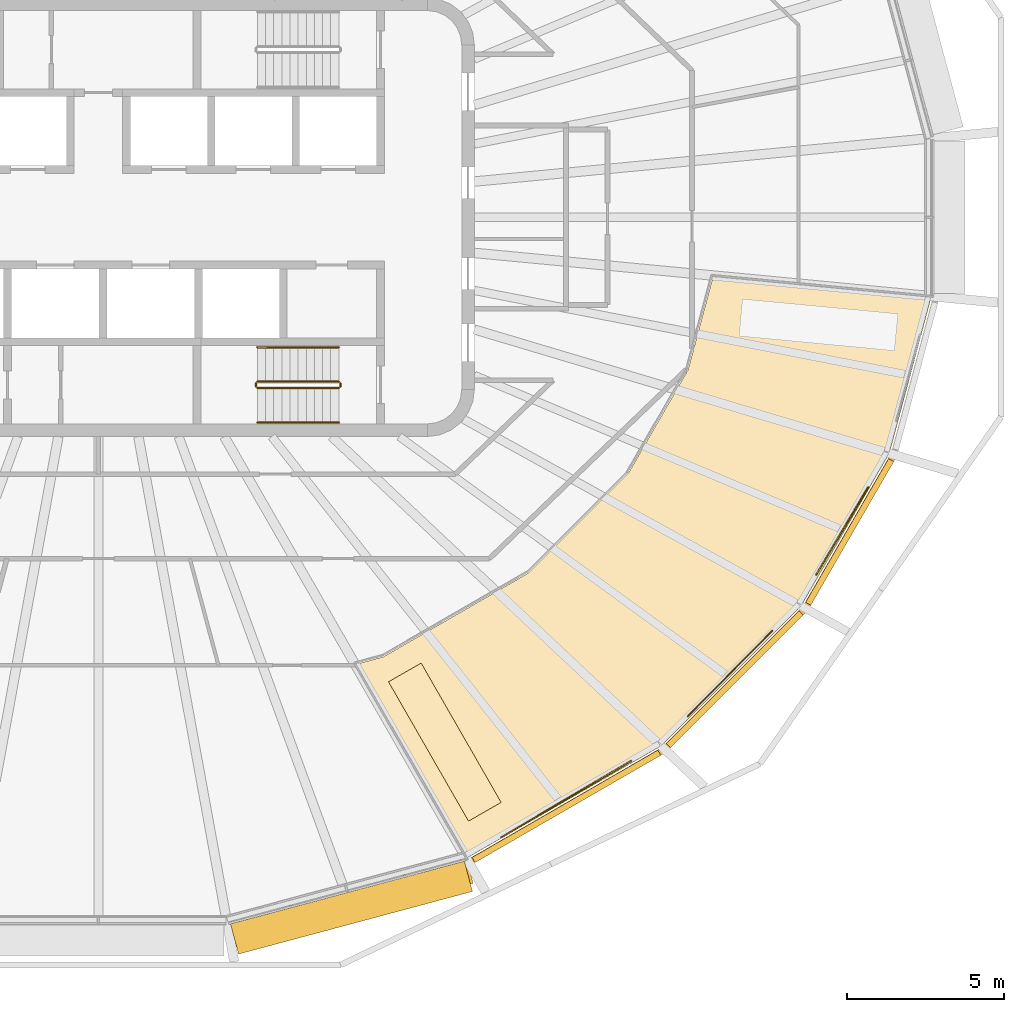
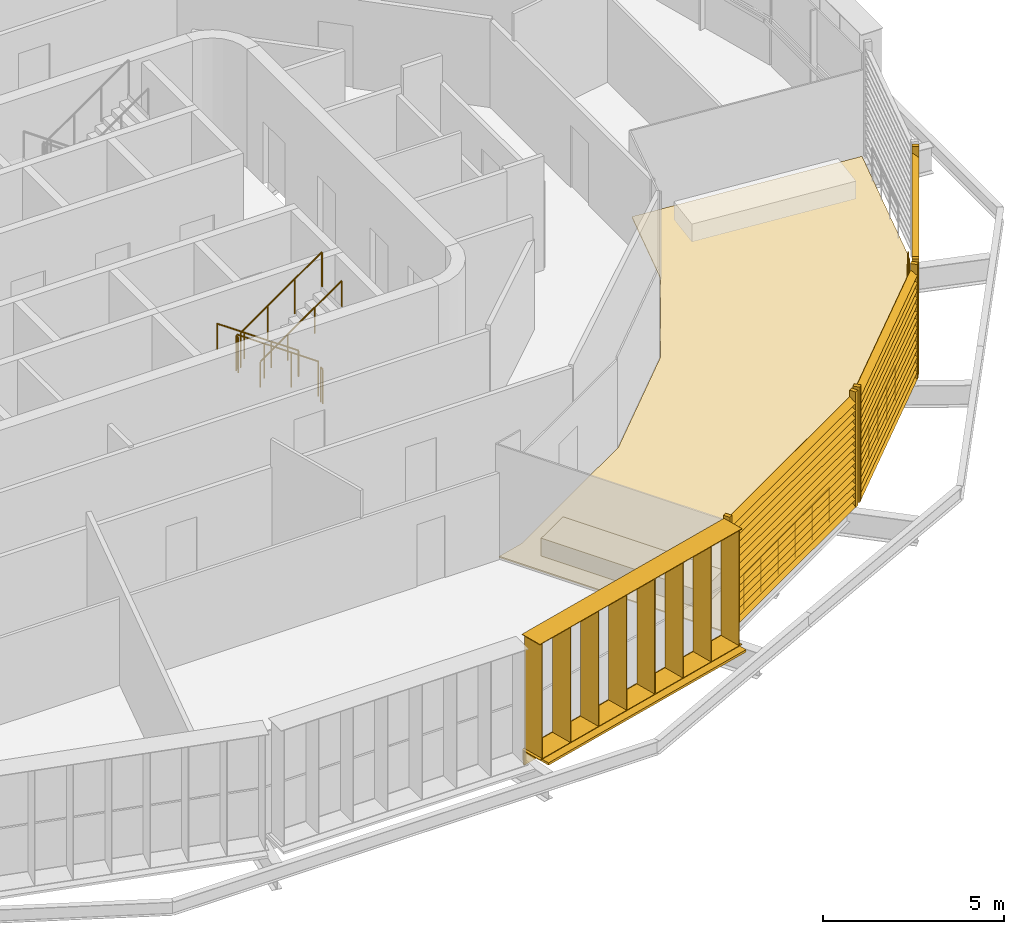
# One storey, part 18 of 21: 9 railings, 5 shading devices, 2 coverings.
"""IFC4 building model written with IfcOpenShell, lengths in metres."""

from ifc_helpers import new_model, si_unit, direction, frame, origin, origin_2d, place, context, subcontext, project, spatial, polyline, rectangle, circle, outline, extrude, material, layer, layer_set, type_object, element, save


model = new_model("IFC4")

# Units and contexts
model_context = context("Model", 3, precision=1e-05, world=origin(), true_north=direction((0.0, 1.0)))
body_context = subcontext(model_context, "Body", "Model", "MODEL_VIEW")
ifc_project = project(units=[si_unit("LENGTHUNIT", "METRE"), si_unit("AREAUNIT", "SQUARE_METRE"), si_unit("VOLUMEUNIT", "CUBIC_METRE"), si_unit("PLANEANGLEUNIT", "RADIAN"), si_unit("MASSUNIT", "GRAM", prefix="KILO")], contexts=[model_context])

# Site, building, storey
site_placement = place(None, origin())
site = spatial("IfcSite", under=ifc_project, at=site_placement, CompositionType="ELEMENT")
building_placement = place(site_placement, origin())
building = spatial("IfcBuilding", under=site, at=building_placement, Name="Sahrelin Media Tower", CompositionType="ELEMENT")
storey_placement = place(building_placement, frame((0.0, 0.0, 304.39990234375)))
storey = spatial("IfcBuildingStorey", under=building, at=storey_placement, Name="L67", CompositionType="ELEMENT", Elevation=304.39990234375)

# Shading device
ifc_material_1 = material(Name="Champagne anodised aluminium 6063-T6", Category="aluminium")
shading_device_type_1 = type_object("IfcShadingDeviceType", Name="Fin cassette", PredefinedType="USERDEFINED", material=ifc_material_1)
placement = place(storey_placement, frame((7.944091796875, -21.53466796875, 0.0), z_axis=(0.0, 0.0, 1.0), x_axis=(-0.965928857556, -0.258807731996, 0.0)))
element("IfcShadingDevice", 1, at=placement, inside=storey, type_object=shading_device_type_1, Name="L67:FIN:L67-19", ObjectType="FIN", PredefinedType="USERDEFINED", context=body_context, shape_type="SweptSolid", body=[
    extrude(rectangle(XDim=7.89990234375, YDim=0.699951171875, at=origin_2d()), frame((0.0, 0.419921875, 0.0)), (0.0, 0.0, 1.0), 0.02001953125),
    extrude(rectangle(XDim=7.89990234375, YDim=0.699951171875, at=origin_2d()), frame((0.0, 0.419921875, 3.89990234375)), (0.0, 0.0, 1.0), 0.02001953125),
    extrude(rectangle(XDim=0.02001953125, YDim=0.699951171875, at=origin_2d()), frame((-3.85009765625, 0.419921875, 0.010009765625), z_axis=(0.0, 0.0, 1.0), x_axis=(1.0, 0.0, 0.0)), (0.0, 0.0, 1.0), 3.89990234375),
    extrude(rectangle(XDim=0.02001953125, YDim=0.699951171875, at=origin_2d()), frame((-2.75, 0.419921875, 0.010009765625), z_axis=(0.0, 0.0, 1.0), x_axis=(1.0, 0.0, 0.0)), (0.0, 0.0, 1.0), 3.89990234375),
    extrude(rectangle(XDim=0.02001953125, YDim=0.699951171875, at=origin_2d()), frame((-1.64990234375, 0.419921875, 0.010009765625), z_axis=(0.0, 0.0, 1.0), x_axis=(1.0, 0.0, 0.0)), (0.0, 0.0, 1.0), 3.89990234375),
    extrude(rectangle(XDim=0.02001953125, YDim=0.699951171875, at=origin_2d()), frame((-0.550048828125, 0.419921875, 0.010009765625), z_axis=(0.0, 0.0, 1.0), x_axis=(1.0, 0.0, 0.0)), (0.0, 0.0, 1.0), 3.89990234375),
    extrude(rectangle(XDim=0.02001953125, YDim=0.699951171875, at=origin_2d()), frame((0.550048828125, 0.419921875, 0.010009765625), z_axis=(0.0, 0.0, 1.0), x_axis=(1.0, 0.0, 0.0)), (0.0, 0.0, 1.0), 3.89990234375),
    extrude(rectangle(XDim=0.02001953125, YDim=0.699951171875, at=origin_2d()), frame((1.64990234375, 0.419921875, 0.010009765625), z_axis=(0.0, 0.0, 1.0), x_axis=(1.0, 0.0, 0.0)), (0.0, 0.0, 1.0), 3.89990234375),
    extrude(rectangle(XDim=0.02001953125, YDim=0.699951171875, at=origin_2d()), frame((2.75, 0.419921875, 0.010009765625), z_axis=(0.0, 0.0, 1.0), x_axis=(1.0, 0.0, 0.0)), (0.0, 0.0, 1.0), 3.89990234375),
    extrude(rectangle(XDim=0.02001953125, YDim=0.699951171875, at=origin_2d()), frame((3.85009765625, 0.419921875, 0.010009765625), z_axis=(0.0, 0.0, 1.0), x_axis=(1.0, 0.0, 0.0)), (0.0, 0.0, 1.0), 3.89990234375),
])

# Covering
ifc_material_2 = material(Name="Stone paving", Category="masonry")
ifc_layer = layer(ifc_material_2, 0.0400390625)
ifc_layer_set = layer_set([ifc_layer], Name="Garden paving")
covering_type_1 = type_object("IfcCoveringType", Name="Garden paving", PredefinedType="FLOORING", material=ifc_layer_set)
covering_1_placement = place(storey_placement, origin())
element("IfcCovering", 2, at=covering_1_placement, inside=storey, type_object=covering_type_1, Name="Garden paving G6", PredefinedType="FLOORING", context=body_context, shape_type="SweptSolid", body=[
    extrude(outline(polyline([(25.2509765625, -7.53173828125), (22.4384765625, -12.4033203125), (17.96630859375, -16.87548828125), (11.79150390625, -20.440185546875), (8.243408203125, -14.259521484375), (9.090576171875, -14.0322265625), (13.7294921875, -11.35400390625), (16.9169921875, -8.16650390625), (18.8212890625, -4.868408203125), (19.61376953125, -1.91064453125), (26.580078125, -2.571533203125), (25.2509765625, -7.53173828125)])), origin(), (0.0, 0.0, 1.0), 0.0400390625),
])

# Shading devices
shading_device_type_2 = type_object("IfcShadingDeviceType", Name="Garden screen", PredefinedType="USERDEFINED", material=ifc_material_1)
shading_device_2_placement = place(storey_placement, frame((14.885009765625, -18.712158203125, 0.0), z_axis=(0.0, 0.0, 1.0), x_axis=(-0.866019052629, -0.500011000363, 0.0)))
element("IfcShadingDevice", 3, at=shading_device_2_placement, inside=storey, type_object=shading_device_type_2, Name="L67:SCREEN:L67-20", ObjectType="SCREEN", PredefinedType="USERDEFINED", context=body_context, shape_type="SweptSolid", body=[
    extrude(rectangle(XDim=0.1201171875, YDim=0.199951171875, at=origin_2d()), frame((3.4833984375, 0.10009765625, 0.050048828125), z_axis=(0.0, 0.0, 1.0), x_axis=(1.0, 0.0, 0.0)), (0.0, 0.0, 1.0), 3.89990234375),
    extrude(rectangle(XDim=0.1201171875, YDim=0.199951171875, at=origin_2d()), frame((-3.4833984375, 0.10009765625, 0.050048828125), z_axis=(0.0, 0.0, 1.0), x_axis=(1.0, 0.0, 0.0)), (0.0, 0.0, 1.0), 3.89990234375),
    extrude(rectangle(XDim=0.25, YDim=0.02001953125, at=origin_2d()), frame((3.42333984375, 0.10009765625, 0.14990234375), z_axis=(-1.0, 0.0, 0.0), x_axis=(0.0, -0.766044443119, 0.642787609687)), (0.0, 0.0, 1.0), 6.8466796875),
    extrude(rectangle(XDim=0.25, YDim=0.02001953125, at=origin_2d()), frame((3.42333984375, 0.10009765625, 0.39990234375), z_axis=(-1.0, 0.0, 0.0), x_axis=(0.0, -0.766044443119, 0.642787609687)), (0.0, 0.0, 1.0), 6.8466796875),
    extrude(rectangle(XDim=0.25, YDim=0.02001953125, at=origin_2d()), frame((3.42333984375, 0.10009765625, 0.64990234375), z_axis=(-1.0, 0.0, 0.0), x_axis=(0.0, -0.766044443119, 0.642787609687)), (0.0, 0.0, 1.0), 6.8466796875),
    extrude(rectangle(XDim=0.25, YDim=0.02001953125, at=origin_2d()), frame((3.42333984375, 0.10009765625, 0.89990234375), z_axis=(-1.0, 0.0, 0.0), x_axis=(0.0, -0.766044443119, 0.642787609687)), (0.0, 0.0, 1.0), 6.8466796875),
    extrude(rectangle(XDim=0.25, YDim=0.02001953125, at=origin_2d()), frame((3.42333984375, 0.10009765625, 1.14990234375), z_axis=(-1.0, 0.0, 0.0), x_axis=(0.0, -0.766044443119, 0.642787609687)), (0.0, 0.0, 1.0), 6.8466796875),
    extrude(rectangle(XDim=0.25, YDim=0.02001953125, at=origin_2d()), frame((3.42333984375, 0.10009765625, 1.39990234375), z_axis=(-1.0, 0.0, 0.0), x_axis=(0.0, -0.766044443119, 0.642787609687)), (0.0, 0.0, 1.0), 6.8466796875),
    extrude(rectangle(XDim=0.25, YDim=0.02001953125, at=origin_2d()), frame((3.42333984375, 0.10009765625, 1.64990234375), z_axis=(-1.0, 0.0, 0.0), x_axis=(0.0, -0.766044443119, 0.642787609687)), (0.0, 0.0, 1.0), 6.8466796875),
    extrude(rectangle(XDim=0.25, YDim=0.02001953125, at=origin_2d()), frame((3.42333984375, 0.10009765625, 1.89990234375), z_axis=(-1.0, 0.0, 0.0), x_axis=(0.0, -0.766044443119, 0.642787609687)), (0.0, 0.0, 1.0), 6.8466796875),
    extrude(rectangle(XDim=0.25, YDim=0.02001953125, at=origin_2d()), frame((3.42333984375, 0.10009765625, 2.14990234375), z_axis=(-1.0, 0.0, 0.0), x_axis=(0.0, -0.766044443119, 0.642787609687)), (0.0, 0.0, 1.0), 6.8466796875),
    extrude(rectangle(XDim=0.25, YDim=0.02001953125, at=origin_2d()), frame((3.42333984375, 0.10009765625, 2.39990234375), z_axis=(-1.0, 0.0, 0.0), x_axis=(0.0, -0.766044443119, 0.642787609687)), (0.0, 0.0, 1.0), 6.8466796875),
    extrude(rectangle(XDim=0.25, YDim=0.02001953125, at=origin_2d()), frame((3.42333984375, 0.10009765625, 2.64990234375), z_axis=(-1.0, 0.0, 0.0), x_axis=(0.0, -0.766044443119, 0.642787609687)), (0.0, 0.0, 1.0), 6.8466796875),
    extrude(rectangle(XDim=0.25, YDim=0.02001953125, at=origin_2d()), frame((3.42333984375, 0.10009765625, 2.89990234375), z_axis=(-1.0, 0.0, 0.0), x_axis=(0.0, -0.766044443119, 0.642787609687)), (0.0, 0.0, 1.0), 6.8466796875),
    extrude(rectangle(XDim=0.25, YDim=0.02001953125, at=origin_2d()), frame((3.42333984375, 0.10009765625, 3.14990234375), z_axis=(-1.0, 0.0, 0.0), x_axis=(0.0, -0.766044443119, 0.642787609687)), (0.0, 0.0, 1.0), 6.8466796875),
    extrude(rectangle(XDim=0.25, YDim=0.02001953125, at=origin_2d()), frame((3.42333984375, 0.10009765625, 3.39990234375), z_axis=(-1.0, 0.0, 0.0), x_axis=(0.0, -0.766044443119, 0.642787609687)), (0.0, 0.0, 1.0), 6.8466796875),
    extrude(rectangle(XDim=0.25, YDim=0.02001953125, at=origin_2d()), frame((3.42333984375, 0.10009765625, 3.64990234375), z_axis=(-1.0, 0.0, 0.0), x_axis=(0.0, -0.766044443119, 0.642787609687)), (0.0, 0.0, 1.0), 6.8466796875),
])
shading_device_3_placement = place(storey_placement, frame((20.23779296875, -14.6748046875, 0.0), z_axis=(0.0, 0.0, 1.0), x_axis=(-0.707106781187, -0.707106781187, 0.0)))
element("IfcShadingDevice", 4, at=shading_device_3_placement, inside=storey, type_object=shading_device_type_2, Name="L67:SCREEN:L67-21", ObjectType="SCREEN", PredefinedType="USERDEFINED", context=body_context, shape_type="SweptSolid", body=[
    extrude(rectangle(XDim=0.1201171875, YDim=0.199951171875, at=origin_2d()), frame((3.058837890625, 0.10009765625, 0.050048828125), z_axis=(0.0, 0.0, 1.0), x_axis=(1.0, 0.0, 0.0)), (0.0, 0.0, 1.0), 3.89990234375),
    extrude(rectangle(XDim=0.1201171875, YDim=0.199951171875, at=origin_2d()), frame((-3.058837890625, 0.10009765625, 0.050048828125), z_axis=(0.0, 0.0, 1.0), x_axis=(1.0, 0.0, 0.0)), (0.0, 0.0, 1.0), 3.89990234375),
    extrude(rectangle(XDim=0.25, YDim=0.02001953125, at=origin_2d()), frame((2.998779296875, 0.10009765625, 0.14990234375), z_axis=(-1.0, 0.0, 0.0), x_axis=(0.0, -0.766044443119, 0.642787609687)), (0.0, 0.0, 1.0), 5.99755859375),
    extrude(rectangle(XDim=0.25, YDim=0.02001953125, at=origin_2d()), frame((2.998779296875, 0.10009765625, 0.39990234375), z_axis=(-1.0, 0.0, 0.0), x_axis=(0.0, -0.766044443119, 0.642787609687)), (0.0, 0.0, 1.0), 5.99755859375),
    extrude(rectangle(XDim=0.25, YDim=0.02001953125, at=origin_2d()), frame((2.998779296875, 0.10009765625, 0.64990234375), z_axis=(-1.0, 0.0, 0.0), x_axis=(0.0, -0.766044443119, 0.642787609687)), (0.0, 0.0, 1.0), 5.99755859375),
    extrude(rectangle(XDim=0.25, YDim=0.02001953125, at=origin_2d()), frame((2.998779296875, 0.10009765625, 0.89990234375), z_axis=(-1.0, 0.0, 0.0), x_axis=(0.0, -0.766044443119, 0.642787609687)), (0.0, 0.0, 1.0), 5.99755859375),
    extrude(rectangle(XDim=0.25, YDim=0.02001953125, at=origin_2d()), frame((2.998779296875, 0.10009765625, 1.14990234375), z_axis=(-1.0, 0.0, 0.0), x_axis=(0.0, -0.766044443119, 0.642787609687)), (0.0, 0.0, 1.0), 5.99755859375),
    extrude(rectangle(XDim=0.25, YDim=0.02001953125, at=origin_2d()), frame((2.998779296875, 0.10009765625, 1.39990234375), z_axis=(-1.0, 0.0, 0.0), x_axis=(0.0, -0.766044443119, 0.642787609687)), (0.0, 0.0, 1.0), 5.99755859375),
    extrude(rectangle(XDim=0.25, YDim=0.02001953125, at=origin_2d()), frame((2.998779296875, 0.10009765625, 1.64990234375), z_axis=(-1.0, 0.0, 0.0), x_axis=(0.0, -0.766044443119, 0.642787609687)), (0.0, 0.0, 1.0), 5.99755859375),
    extrude(rectangle(XDim=0.25, YDim=0.02001953125, at=origin_2d()), frame((2.998779296875, 0.10009765625, 1.89990234375), z_axis=(-1.0, 0.0, 0.0), x_axis=(0.0, -0.766044443119, 0.642787609687)), (0.0, 0.0, 1.0), 5.99755859375),
    extrude(rectangle(XDim=0.25, YDim=0.02001953125, at=origin_2d()), frame((2.998779296875, 0.10009765625, 2.14990234375), z_axis=(-1.0, 0.0, 0.0), x_axis=(0.0, -0.766044443119, 0.642787609687)), (0.0, 0.0, 1.0), 5.99755859375),
    extrude(rectangle(XDim=0.25, YDim=0.02001953125, at=origin_2d()), frame((2.998779296875, 0.10009765625, 2.39990234375), z_axis=(-1.0, 0.0, 0.0), x_axis=(0.0, -0.766044443119, 0.642787609687)), (0.0, 0.0, 1.0), 5.99755859375),
    extrude(rectangle(XDim=0.25, YDim=0.02001953125, at=origin_2d()), frame((2.998779296875, 0.10009765625, 2.64990234375), z_axis=(-1.0, 0.0, 0.0), x_axis=(0.0, -0.766044443119, 0.642787609687)), (0.0, 0.0, 1.0), 5.99755859375),
    extrude(rectangle(XDim=0.25, YDim=0.02001953125, at=origin_2d()), frame((2.998779296875, 0.10009765625, 2.89990234375), z_axis=(-1.0, 0.0, 0.0), x_axis=(0.0, -0.766044443119, 0.642787609687)), (0.0, 0.0, 1.0), 5.99755859375),
    extrude(rectangle(XDim=0.25, YDim=0.02001953125, at=origin_2d()), frame((2.998779296875, 0.10009765625, 3.14990234375), z_axis=(-1.0, 0.0, 0.0), x_axis=(0.0, -0.766044443119, 0.642787609687)), (0.0, 0.0, 1.0), 5.99755859375),
    extrude(rectangle(XDim=0.25, YDim=0.02001953125, at=origin_2d()), frame((2.998779296875, 0.10009765625, 3.39990234375), z_axis=(-1.0, 0.0, 0.0), x_axis=(0.0, -0.766044443119, 0.642787609687)), (0.0, 0.0, 1.0), 5.99755859375),
    extrude(rectangle(XDim=0.25, YDim=0.02001953125, at=origin_2d()), frame((2.998779296875, 0.10009765625, 3.64990234375), z_axis=(-1.0, 0.0, 0.0), x_axis=(0.0, -0.766044443119, 0.642787609687)), (0.0, 0.0, 1.0), 5.99755859375),
])
shading_device_4_placement = place(storey_placement, frame((23.887939453125, -9.992431640625, 0.0), z_axis=(0.0, 0.0, 1.0), x_axis=(-0.500011000363, -0.866019052629, 0.0)))
element("IfcShadingDevice", 5, at=shading_device_4_placement, inside=storey, type_object=shading_device_type_2, Name="L67:SCREEN:L67-22", ObjectType="SCREEN", PredefinedType="USERDEFINED", context=body_context, shape_type="SweptSolid", body=[
    extrude(rectangle(XDim=0.1201171875, YDim=0.199951171875, at=origin_2d()), frame((2.708984375, 0.10009765625, 0.050048828125), z_axis=(0.0, 0.0, 1.0), x_axis=(1.0, 0.0, 0.0)), (0.0, 0.0, 1.0), 3.89990234375),
    extrude(rectangle(XDim=0.1201171875, YDim=0.199951171875, at=origin_2d()), frame((-2.708984375, 0.10009765625, 0.050048828125), z_axis=(0.0, 0.0, 1.0), x_axis=(1.0, 0.0, 0.0)), (0.0, 0.0, 1.0), 3.89990234375),
    extrude(rectangle(XDim=0.25, YDim=0.02001953125, at=origin_2d()), frame((2.649169921875, 0.10009765625, 0.14990234375), z_axis=(-1.0, 0.0, 0.0), x_axis=(0.0, -0.766044443119, 0.642787609687)), (0.0, 0.0, 1.0), 5.29833984375),
    extrude(rectangle(XDim=0.25, YDim=0.02001953125, at=origin_2d()), frame((2.649169921875, 0.10009765625, 0.39990234375), z_axis=(-1.0, 0.0, 0.0), x_axis=(0.0, -0.766044443119, 0.642787609687)), (0.0, 0.0, 1.0), 5.29833984375),
    extrude(rectangle(XDim=0.25, YDim=0.02001953125, at=origin_2d()), frame((2.649169921875, 0.10009765625, 0.64990234375), z_axis=(-1.0, 0.0, 0.0), x_axis=(0.0, -0.766044443119, 0.642787609687)), (0.0, 0.0, 1.0), 5.29833984375),
    extrude(rectangle(XDim=0.25, YDim=0.02001953125, at=origin_2d()), frame((2.649169921875, 0.10009765625, 0.89990234375), z_axis=(-1.0, 0.0, 0.0), x_axis=(0.0, -0.766044443119, 0.642787609687)), (0.0, 0.0, 1.0), 5.29833984375),
    extrude(rectangle(XDim=0.25, YDim=0.02001953125, at=origin_2d()), frame((2.649169921875, 0.10009765625, 1.14990234375), z_axis=(-1.0, 0.0, 0.0), x_axis=(0.0, -0.766044443119, 0.642787609687)), (0.0, 0.0, 1.0), 5.29833984375),
    extrude(rectangle(XDim=0.25, YDim=0.02001953125, at=origin_2d()), frame((2.649169921875, 0.10009765625, 1.39990234375), z_axis=(-1.0, 0.0, 0.0), x_axis=(0.0, -0.766044443119, 0.642787609687)), (0.0, 0.0, 1.0), 5.29833984375),
    extrude(rectangle(XDim=0.25, YDim=0.02001953125, at=origin_2d()), frame((2.649169921875, 0.10009765625, 1.64990234375), z_axis=(-1.0, 0.0, 0.0), x_axis=(0.0, -0.766044443119, 0.642787609687)), (0.0, 0.0, 1.0), 5.29833984375),
    extrude(rectangle(XDim=0.25, YDim=0.02001953125, at=origin_2d()), frame((2.649169921875, 0.10009765625, 1.89990234375), z_axis=(-1.0, 0.0, 0.0), x_axis=(0.0, -0.766044443119, 0.642787609687)), (0.0, 0.0, 1.0), 5.29833984375),
    extrude(rectangle(XDim=0.25, YDim=0.02001953125, at=origin_2d()), frame((2.649169921875, 0.10009765625, 2.14990234375), z_axis=(-1.0, 0.0, 0.0), x_axis=(0.0, -0.766044443119, 0.642787609687)), (0.0, 0.0, 1.0), 5.29833984375),
    extrude(rectangle(XDim=0.25, YDim=0.02001953125, at=origin_2d()), frame((2.649169921875, 0.10009765625, 2.39990234375), z_axis=(-1.0, 0.0, 0.0), x_axis=(0.0, -0.766044443119, 0.642787609687)), (0.0, 0.0, 1.0), 5.29833984375),
    extrude(rectangle(XDim=0.25, YDim=0.02001953125, at=origin_2d()), frame((2.649169921875, 0.10009765625, 2.64990234375), z_axis=(-1.0, 0.0, 0.0), x_axis=(0.0, -0.766044443119, 0.642787609687)), (0.0, 0.0, 1.0), 5.29833984375),
    extrude(rectangle(XDim=0.25, YDim=0.02001953125, at=origin_2d()), frame((2.649169921875, 0.10009765625, 2.89990234375), z_axis=(-1.0, 0.0, 0.0), x_axis=(0.0, -0.766044443119, 0.642787609687)), (0.0, 0.0, 1.0), 5.29833984375),
    extrude(rectangle(XDim=0.25, YDim=0.02001953125, at=origin_2d()), frame((2.649169921875, 0.10009765625, 3.14990234375), z_axis=(-1.0, 0.0, 0.0), x_axis=(0.0, -0.766044443119, 0.642787609687)), (0.0, 0.0, 1.0), 5.29833984375),
    extrude(rectangle(XDim=0.25, YDim=0.02001953125, at=origin_2d()), frame((2.649169921875, 0.10009765625, 3.39990234375), z_axis=(-1.0, 0.0, 0.0), x_axis=(0.0, -0.766044443119, 0.642787609687)), (0.0, 0.0, 1.0), 5.29833984375),
    extrude(rectangle(XDim=0.25, YDim=0.02001953125, at=origin_2d()), frame((2.649169921875, 0.10009765625, 3.64990234375), z_axis=(-1.0, 0.0, 0.0), x_axis=(0.0, -0.766044443119, 0.642787609687)), (0.0, 0.0, 1.0), 5.29833984375),
])

# Railings
ifc_material_3 = material(Name="Stainless steel 316", Category="steel")
railing_type_1 = type_object("IfcRailingType", Name="Sky garden guard", PredefinedType="GUARDRAIL", material=ifc_material_3)
railing_1_placement = place(storey_placement, frame((12.8662109375, -19.791748046875, 0.0)))
element("IfcRailing", 6, at=railing_1_placement, inside=storey, type_object=railing_type_1, Name="Sky garden guard G6-1", PredefinedType="GUARDRAIL", context=body_context, shape_type="SweptSolid", body=[
    extrude(circle(Radius=0.02392578125, at=origin_2d()), frame((0.0, 0.0, 1.17578125), z_axis=(0.861602002216, 0.507584465658, 0.0), x_axis=(-0.507584465658, 0.861602002216, 0.0)), (0.0, 0.0, 1.0), 4.80126953125),
    extrude(circle(Radius=0.02099609375, at=origin_2d()), origin(), (0.0, 0.0, 1.0), 1.15185546875),
    extrude(circle(Radius=0.02099609375, at=origin_2d()), frame((0.827392578125, 0.4873046875, 0.0)), (0.0, 0.0, 1.0), 1.15185546875),
    extrude(circle(Radius=0.02099609375, at=origin_2d()), frame((1.65478515625, 0.974853515625, 0.0)), (0.0, 0.0, 1.0), 1.15185546875),
    extrude(circle(Radius=0.02099609375, at=origin_2d()), frame((2.48193359375, 1.462158203125, 0.0)), (0.0, 0.0, 1.0), 1.15185546875),
    extrude(circle(Radius=0.02099609375, at=origin_2d()), frame((3.309326171875, 1.94970703125, 0.0)), (0.0, 0.0, 1.0), 1.15185546875),
    extrude(circle(Radius=0.02099609375, at=origin_2d()), frame((4.13671875, 2.43701171875, 0.0)), (0.0, 0.0, 1.0), 1.15185546875),
])
railing_2_placement = place(storey_placement, frame((18.8076171875, -15.932861328125, 0.0)))
element("IfcRailing", 7, at=railing_2_placement, inside=storey, type_object=railing_type_1, Name="Sky garden guard G6-2", PredefinedType="GUARDRAIL", context=body_context, shape_type="SweptSolid", body=[
    extrude(circle(Radius=0.02392578125, at=origin_2d()), frame((0.0, 0.0, 1.17578125), z_axis=(0.702534291506, 0.711649892333, 0.0), x_axis=(-0.711649892333, 0.702534291506, 0.0)), (0.0, 0.0, 1.0), 3.856689453125),
    extrude(circle(Radius=0.02099609375, at=origin_2d()), origin(), (0.0, 0.0, 1.0), 1.15185546875),
    extrude(circle(Radius=0.02099609375, at=origin_2d()), frame((0.67724609375, 0.68603515625, 0.0)), (0.0, 0.0, 1.0), 1.15185546875),
    extrude(circle(Radius=0.02099609375, at=origin_2d()), frame((1.354736328125, 1.372314453125, 0.0)), (0.0, 0.0, 1.0), 1.15185546875),
    extrude(circle(Radius=0.02099609375, at=origin_2d()), frame((2.0322265625, 2.05859375, 0.0)), (0.0, 0.0, 1.0), 1.15185546875),
    extrude(circle(Radius=0.02099609375, at=origin_2d()), frame((2.70947265625, 2.74462890625, 0.0)), (0.0, 0.0, 1.0), 1.15185546875),
])
railing_3_placement = place(storey_placement, frame((22.91650390625, -11.4033203125, 0.0)))
element("IfcRailing", 8, at=railing_3_placement, inside=storey, type_object=railing_type_1, Name="Sky garden guard G6-3", PredefinedType="GUARDRAIL", context=body_context, shape_type="SweptSolid", body=[
    extrude(circle(Radius=0.02392578125, at=origin_2d()), frame((0.0, 0.0, 1.17578125), z_axis=(0.510453377202, 0.859905430674, 0.0), x_axis=(-0.859905430674, 0.510453377202, 0.0)), (0.0, 0.0, 1.0), 3.237548828125),
    extrude(circle(Radius=0.02099609375, at=origin_2d()), origin(), (0.0, 0.0, 1.0), 1.15185546875),
    extrude(circle(Radius=0.02099609375, at=origin_2d()), frame((0.55078125, 0.927978515625, 0.0)), (0.0, 0.0, 1.0), 1.15185546875),
    extrude(circle(Radius=0.02099609375, at=origin_2d()), frame((1.101806640625, 1.85595703125, 0.0)), (0.0, 0.0, 1.0), 1.15185546875),
    extrude(circle(Radius=0.02099609375, at=origin_2d()), frame((1.652587890625, 2.783935546875, 0.0)), (0.0, 0.0, 1.0), 1.15185546875),
])

# Covering
ifc_material_4 = material(Name="Planting and soil")
covering_type_2 = type_object("IfcCoveringType", Name="Sky garden planter", PredefinedType="USERDEFINED", material=ifc_material_4)
covering_2_placement = place(storey_placement, frame((11.05810546875, -16.75244140625, 0.0400390625), z_axis=(0.0, 0.0, 1.0), x_axis=(-0.497858191992, 0.867258450905, 0.0)))
element("IfcCovering", 9, at=covering_2_placement, inside=storey, type_object=covering_type_2, Name="Sky garden planter G6-1", ObjectType="PLANTER", PredefinedType="USERDEFINED", context=body_context, shape_type="SweptSolid", body=[
    extrude(rectangle(XDim=5.126953125, YDim=1.199951171875, at=origin_2d()), origin(), (0.0, 0.0, 1.0), 0.60009765625),
])

# Railings
ifc_material_5 = material(Name="Steel S355", Category="steel")
railing_type_2 = type_object("IfcRailingType", Name="Stair guard 1200", PredefinedType="GUARDRAIL", material=ifc_material_5)
railing_4_placement = place(storey_placement, frame((7.675048828125, -5.25, 0.181884765625)))
element("IfcRailing", 10, at=railing_4_placement, inside=storey, type_object=railing_type_2, Name="L67 ST2 stair guard 1", PredefinedType="GUARDRAIL", context=body_context, shape_type="SweptSolid", body=[
    extrude(circle(Radius=0.02392578125, at=origin_2d()), frame((0.0, 0.0, 1.17578125), z_axis=(-0.819521025635, 0.0, 0.573049115296), x_axis=(0.0, -1.0, 0.0)), (0.0, 0.0, 1.0), 3.172607421875),
    extrude(circle(Radius=0.02099609375, at=origin_2d()), origin(), (0.0, 0.0, 1.0), 1.15185546875),
    extrude(circle(Radius=0.02099609375, at=origin_2d()), frame((-0.86669921875, 0.0, 0.60595703125)), (0.0, 0.0, 1.0), 1.15185546875),
    extrude(circle(Radius=0.02099609375, at=origin_2d()), frame((-1.7333984375, 0.0, 1.212158203125)), (0.0, 0.0, 1.0), 1.15185546875),
    extrude(circle(Radius=0.02099609375, at=origin_2d()), frame((-2.60009765625, 0.0, 1.818115234375)), (0.0, 0.0, 1.0), 1.15185546875),
])
railing_5_placement = place(storey_placement, frame((5.02490234375, -5.300048828125, 2.0)))
element("IfcRailing", 11, at=railing_5_placement, inside=storey, type_object=railing_type_2, Name="L67 ST2 stair guard 2", PredefinedType="GUARDRAIL", context=body_context, shape_type="SweptSolid", body=[
    extrude(circle(Radius=0.02392578125, at=origin_2d()), frame((0.0, 0.0, 1.17578125), z_axis=(0.0, -1.0, 0.0), x_axis=(1.0, 0.0, 0.0)), (0.0, 0.0, 1.0), 0.099853515625),
    extrude(circle(Radius=0.02099609375, at=origin_2d()), origin(), (0.0, 0.0, 1.0), 1.15185546875),
    extrude(circle(Radius=0.02099609375, at=origin_2d()), frame((0.0, -0.099853515625, 0.0)), (0.0, 0.0, 1.0), 1.15185546875),
])
railing_6_placement = place(storey_placement, frame((5.074951171875, -5.449951171875, 2.181884765625)))
element("IfcRailing", 12, at=railing_6_placement, inside=storey, type_object=railing_type_2, Name="L67 ST2 stair guard 3", PredefinedType="GUARDRAIL", context=body_context, shape_type="SweptSolid", body=[
    extrude(circle(Radius=0.02392578125, at=origin_2d()), frame((0.0, 0.0, 1.17578125), z_axis=(0.819521025635, 0.0, 0.573049115296), x_axis=(0.0, 1.0, 0.0)), (0.0, 0.0, 1.0), 3.172607421875),
    extrude(circle(Radius=0.02099609375, at=origin_2d()), origin(), (0.0, 0.0, 1.0), 1.15185546875),
    extrude(circle(Radius=0.02099609375, at=origin_2d()), frame((0.86669921875, 0.0, 0.60595703125)), (0.0, 0.0, 1.0), 1.15185546875),
    extrude(circle(Radius=0.02099609375, at=origin_2d()), frame((1.7333984375, 0.0, 1.212158203125)), (0.0, 0.0, 1.0), 1.15185546875),
    extrude(circle(Radius=0.02099609375, at=origin_2d()), frame((2.60009765625, 0.0, 1.818115234375)), (0.0, 0.0, 1.0), 1.15185546875),
])
railing_7_placement = place(storey_placement, frame((7.72509765625, -5.300048828125, 0.0)))
element("IfcRailing", 13, at=railing_7_placement, inside=storey, type_object=railing_type_2, Name="L67 ST2 stair guard 4", PredefinedType="GUARDRAIL", context=body_context, shape_type="SweptSolid", body=[
    extrude(circle(Radius=0.02392578125, at=origin_2d()), frame((0.0, 0.0, 1.17578125), z_axis=(0.0, -1.0, 0.0), x_axis=(1.0, 0.0, 0.0)), (0.0, 0.0, 1.0), 0.099853515625),
    extrude(circle(Radius=0.02099609375, at=origin_2d()), origin(), (0.0, 0.0, 1.0), 1.15185546875),
    extrude(circle(Radius=0.02099609375, at=origin_2d()), frame((0.0, -0.099853515625, 0.0)), (0.0, 0.0, 1.0), 1.15185546875),
])
railing_type_3 = type_object("IfcRailingType", Name="Stair handrail 900", PredefinedType="HANDRAIL", material=ifc_material_5)
railing_8_placement = place(storey_placement, frame((7.675048828125, -4.14990234375, 0.181884765625)))
element("IfcRailing", 14, at=railing_8_placement, inside=storey, type_object=railing_type_3, Name="L67 ST2 stair handrail 1", PredefinedType="HANDRAIL", context=body_context, shape_type="SweptSolid", body=[
    extrude(circle(Radius=0.02392578125, at=origin_2d()), frame((0.0, 0.0, 0.8759765625), z_axis=(-0.819521025635, 0.0, 0.573049115296), x_axis=(0.0, -1.0, 0.0)), (0.0, 0.0, 1.0), 3.172607421875),
    extrude(circle(Radius=0.02099609375, at=origin_2d()), origin(), (0.0, 0.0, 1.0), 0.851806640625),
    extrude(circle(Radius=0.02099609375, at=origin_2d()), frame((-0.86669921875, 0.0, 0.60595703125)), (0.0, 0.0, 1.0), 0.851806640625),
    extrude(circle(Radius=0.02099609375, at=origin_2d()), frame((-1.7333984375, 0.0, 1.212158203125)), (0.0, 0.0, 1.0), 0.851806640625),
    extrude(circle(Radius=0.02099609375, at=origin_2d()), frame((-2.60009765625, 0.0, 1.818115234375)), (0.0, 0.0, 1.0), 0.851806640625),
])
railing_9_placement = place(storey_placement, frame((5.074951171875, -6.550048828125, 2.181884765625)))
element("IfcRailing", 15, at=railing_9_placement, inside=storey, type_object=railing_type_3, Name="L67 ST2 stair handrail 2", PredefinedType="HANDRAIL", context=body_context, shape_type="SweptSolid", body=[
    extrude(circle(Radius=0.02392578125, at=origin_2d()), frame((0.0, 0.0, 0.8759765625), z_axis=(0.819521025635, 0.0, 0.573049115296), x_axis=(0.0, 1.0, 0.0)), (0.0, 0.0, 1.0), 3.172607421875),
    extrude(circle(Radius=0.02099609375, at=origin_2d()), origin(), (0.0, 0.0, 1.0), 0.851806640625),
    extrude(circle(Radius=0.02099609375, at=origin_2d()), frame((0.86669921875, 0.0, 0.60595703125)), (0.0, 0.0, 1.0), 0.851806640625),
    extrude(circle(Radius=0.02099609375, at=origin_2d()), frame((1.7333984375, 0.0, 1.212158203125)), (0.0, 0.0, 1.0), 0.851806640625),
    extrude(circle(Radius=0.02099609375, at=origin_2d()), frame((2.60009765625, 0.0, 1.818115234375)), (0.0, 0.0, 1.0), 0.851806640625),
])

# Shading device
shading_device_type_3 = type_object("IfcShadingDeviceType", Name="Sunshade band", PredefinedType="USERDEFINED", material=ifc_material_1)
element("IfcShadingDevice", 16, at=placement, inside=storey, type_object=shading_device_type_3, Name="L67:SUN:L67-19", ObjectType="SUNSHADE", PredefinedType="USERDEFINED", context=body_context, shape_type="SweptSolid", body=[
    extrude(rectangle(XDim=7.728271484375, YDim=0.050048828125, at=origin_2d()), frame((0.0, 0.044921875, -0.55126953125)), (0.0, 0.0, 1.0), 0.471435546875),
    extrude(rectangle(XDim=7.728271484375, YDim=1.0, at=origin_2d()), frame((0.0, 0.52001953125, -0.080078125)), (0.0, 0.0, 1.0), 0.080078125),
    extrude(rectangle(XDim=0.10009765625, YDim=0.074951171875, at=origin_2d()), frame((-3.76416015625, -0.017578125, -0.47021484375)), (0.0, 0.0, 1.0), 0.300048828125),
    extrude(rectangle(XDim=0.10009765625, YDim=0.074951171875, at=origin_2d()), frame((-1.882080078125, -0.017578125, -0.47021484375)), (0.0, 0.0, 1.0), 0.300048828125),
    extrude(rectangle(XDim=0.10009765625, YDim=0.074951171875, at=origin_2d()), frame((0.0, -0.017578125, -0.47021484375)), (0.0, 0.0, 1.0), 0.300048828125),
    extrude(rectangle(XDim=0.10009765625, YDim=0.074951171875, at=origin_2d()), frame((1.882080078125, -0.017578125, -0.47021484375)), (0.0, 0.0, 1.0), 0.300048828125),
    extrude(rectangle(XDim=0.10009765625, YDim=0.074951171875, at=origin_2d()), frame((3.76416015625, -0.017578125, -0.47021484375)), (0.0, 0.0, 1.0), 0.300048828125),
])

save(model, "model.ifc")
